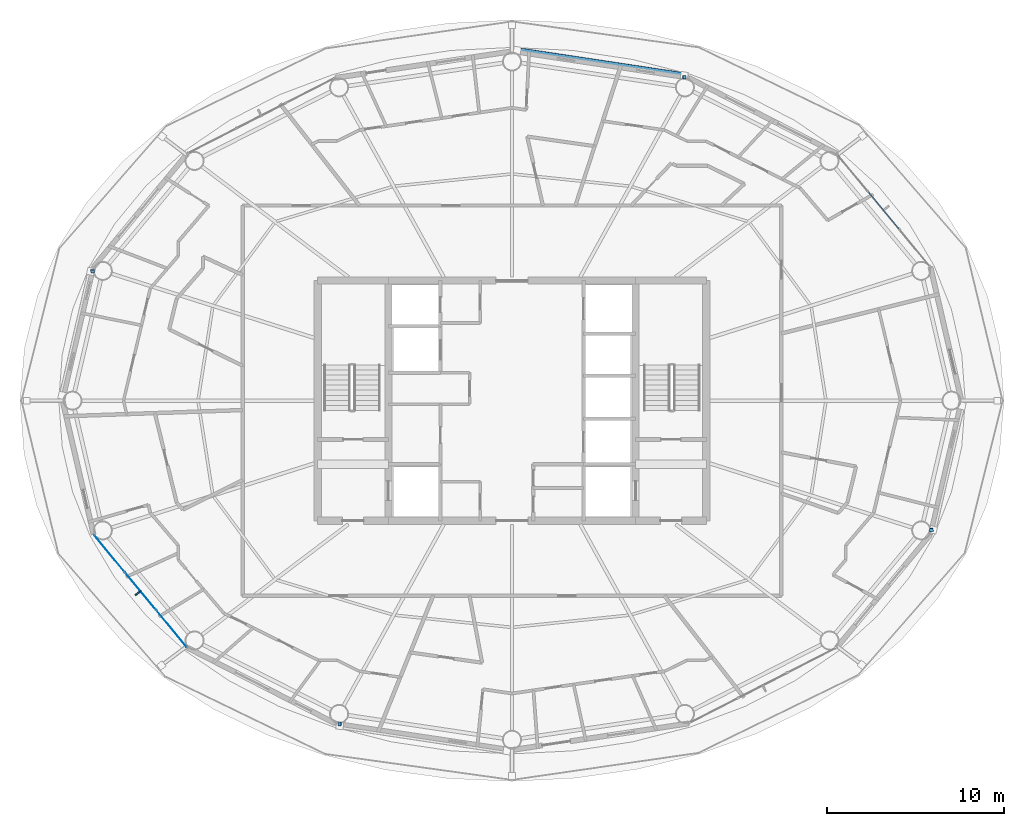
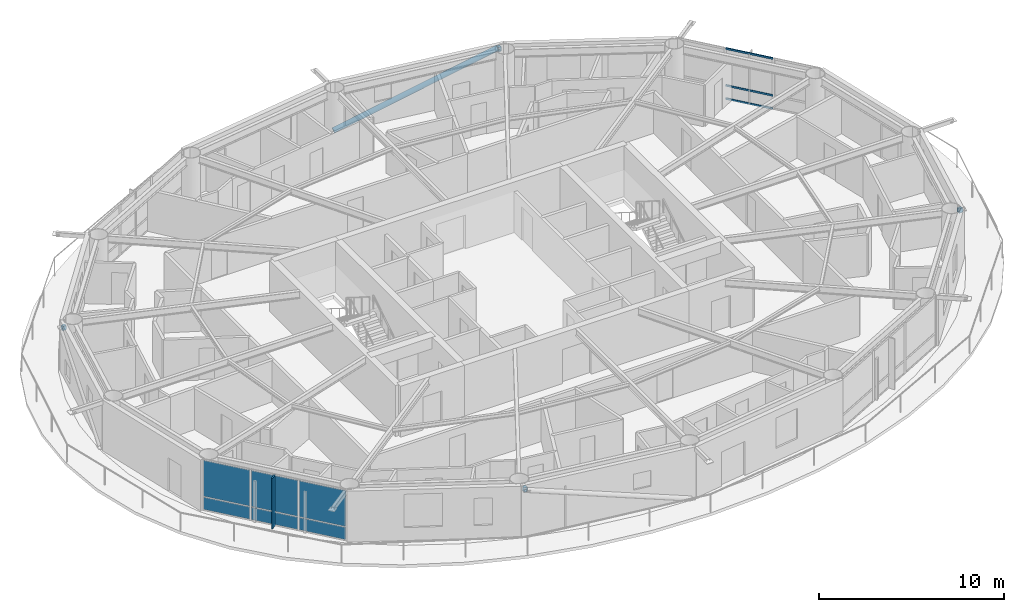
# One storey, part 12 of 23: 8 members, 7 plates, 2 elements without a shape of their own.
"""IFC4 building model written with IfcOpenShell, lengths in metres."""

from ifc_helpers import new_model, si_unit, direction, frame, origin, origin_2d, place, context, subcontext, project, spatial, rectangle, hollow_rectangle, hollow_circle, extrude, material, layer, layer_set, material_profile, profile_set, type_object, element, aggregate, save


model = new_model("IFC4")

# Units and contexts
model_context = context("Model", 3, precision=1e-05, world=origin(), true_north=direction((0.0, 1.0)))
body_context = subcontext(model_context, "Body", "Model", "MODEL_VIEW")
ifc_project = project(units=[si_unit("LENGTHUNIT", "METRE"), si_unit("AREAUNIT", "SQUARE_METRE"), si_unit("VOLUMEUNIT", "CUBIC_METRE"), si_unit("PLANEANGLEUNIT", "RADIAN"), si_unit("MASSUNIT", "GRAM", prefix="KILO")], contexts=[model_context])

# Site, building, storey
site_placement = place(None, origin())
site = spatial("IfcSite", under=ifc_project, at=site_placement, CompositionType="ELEMENT")
building_placement = place(site_placement, origin())
building = spatial("IfcBuilding", under=site, at=building_placement, Name="Sarneth Arch Tower", CompositionType="ELEMENT")
storey_placement = place(building_placement, frame((0.0, 0.0, 238.800048828125)))
storey = spatial("IfcBuildingStorey", under=building, at=storey_placement, Name="L61", CompositionType="ELEMENT", Elevation=238.800048828125)

# Curtain wall, members
ifc_material_1 = material(Name="Anodised aluminium Type AA25 and solar-control low-e laminated IGU", Category="aluminium")
ifc_layer_1 = layer(ifc_material_1, 0.179931640625)
ifc_layer_set_1 = layer_set([ifc_layer_1], Name="Anodised aluminium Type AA25 and solar-control low-e laminated IGU")
curtain_wall_type = type_object("IfcCurtainWallType", Name="CW-RES-HIGH", PredefinedType="NOTDEFINED", material=ifc_layer_set_1)
curtain_wall_1_placement = place(storey_placement, origin())
curtain_wall_1 = element("IfcCurtainWall", 1, at=curtain_wall_1_placement, inside=storey, type_object=curtain_wall_type, Name="L61 Unitised curtain wall facet 02", PredefinedType="NOTDEFINED")
ifc_material_2 = material(Name="Anodised Aluminium 6063-T6", Category="aluminium")
ifc_material_profile_1 = material_profile(ifc_material_2, hollow_rectangle(XDim=0.06005859375, YDim=0.1201171875, WallThickness=0.00390625, at=origin_2d()), Name="AL-TRAN-120x60x4")
ifc_profile_set_1 = profile_set([ifc_material_profile_1], Name="Anodised Aluminium 6063-T6")
member_type_1 = type_object("IfcMemberType", Name="CW-TRANSOM", PredefinedType="USERDEFINED", material=ifc_profile_set_1)
member_1_placement = place(storey_placement, frame((69.904296875, 51.731689453125, 0.030029296875), z_axis=(-0.637617371902, 0.770353222261, 0.0), x_axis=(-0.770353222261, -0.637617371902, 0.0)))
member_1 = element("IfcMember", 2, at=member_1_placement, type_object=member_type_1, Name="CW-SYS-6 transom 2.1", ObjectType="TRANSOM", PredefinedType="USERDEFINED", context=body_context, shape_type="SweptSolid", body=[
    extrude(hollow_rectangle(XDim=0.06005859375, YDim=0.1201171875, WallThickness=0.00390625, at=origin_2d()), origin(), (0.0, 0.0, 1.0), 2.716552734375),
])
member_2_placement = place(storey_placement, frame((69.904296875, 51.731689453125, 0.89990234375), z_axis=(-0.637617371902, 0.770353222261, 0.0), x_axis=(-0.770353222261, -0.637617371902, 0.0)))
member_2 = element("IfcMember", 3, at=member_2_placement, type_object=member_type_1, Name="CW-SYS-6 transom 2.2", ObjectType="TRANSOM", PredefinedType="USERDEFINED", context=body_context, shape_type="SweptSolid", body=[
    extrude(hollow_rectangle(XDim=0.06005859375, YDim=0.1201171875, WallThickness=0.00390625, at=origin_2d()), origin(), (0.0, 0.0, 1.0), 2.716552734375),
])
member_3_placement = place(storey_placement, frame((69.904296875, 51.731689453125, 3.329833984375), z_axis=(-0.637617371902, 0.770353222261, 0.0), x_axis=(-0.770353222261, -0.637617371902, 0.0)))
member_3 = element("IfcMember", 4, at=member_3_placement, type_object=member_type_1, Name="CW-SYS-6 transom 2.3", ObjectType="TRANSOM", PredefinedType="USERDEFINED", context=body_context, shape_type="SweptSolid", body=[
    extrude(hollow_rectangle(XDim=0.06005859375, YDim=0.1201171875, WallThickness=0.00390625, at=origin_2d()), origin(), (0.0, 0.0, 1.0), 2.716552734375),
])
aggregate(curtain_wall_1, [member_1, member_2, member_3])

# Members
ifc_material_3 = material(Name="Steel S355", Category="steel")
ifc_material_profile_2 = material_profile(ifc_material_3, hollow_rectangle(XDim=0.199951171875, YDim=0.300048828125, WallThickness=0.012451171875, InnerFilletRadius=0.018798828125, OuterFilletRadius=0.03125, at=origin_2d()), Name="RHS300x200x12.5")
ifc_profile_set_2 = profile_set([ifc_material_profile_2], Name="Steel S355")
member_type_2 = type_object("IfcMemberType", Name="MEM-CANT-STRUT", PredefinedType="STRUT", material=ifc_profile_set_2)
member_4_placement = place(storey_placement, frame((57.76513671875, 60.210205078125, 3.03662109375), z_axis=(-0.054530394419, 0.998512111136, 0.0), x_axis=(-0.998512111136, -0.054530394419, 0.0)))
element("IfcMember", 5, at=member_4_placement, inside=storey, type_object=member_type_2, Name="L61 Exoskeleton brace node strut 04B", PredefinedType="STRUT", context=body_context, shape_type="SweptSolid", body=[
    extrude(hollow_rectangle(XDim=0.199951171875, YDim=0.300048828125, WallThickness=0.012451171875, InnerFilletRadius=0.018798828125, OuterFilletRadius=0.03125, at=origin_2d()), origin(), (0.0, 0.0, 1.0), 0.201416015625),
])
member_5_placement = place(storey_placement, frame((24.359130859375, 49.325439453125, 3.03662109375), z_axis=(-0.998875971008, -0.047400364365, 0.0), x_axis=(0.047400364365, -0.998875971008, 0.0)))
element("IfcMember", 6, at=member_5_placement, inside=storey, type_object=member_type_2, Name="L61 Exoskeleton brace node strut 08B", PredefinedType="STRUT", context=body_context, shape_type="SweptSolid", body=[
    extrude(hollow_rectangle(XDim=0.199951171875, YDim=0.300048828125, WallThickness=0.012451171875, InnerFilletRadius=0.018798828125, OuterFilletRadius=0.03125, at=origin_2d()), origin(), (0.0, 0.0, 1.0), 0.211181640625),
])
member_6_placement = place(storey_placement, frame((38.23486328125, 23.789794921875, 3.03662109375), z_axis=(0.054530394419, -0.998512111136, 0.0), x_axis=(0.998512111136, 0.054530394419, 0.0)))
element("IfcMember", 7, at=member_6_placement, inside=storey, type_object=member_type_2, Name="L61 Exoskeleton brace node strut 12B", PredefinedType="STRUT", context=body_context, shape_type="SweptSolid", body=[
    extrude(hollow_rectangle(XDim=0.199951171875, YDim=0.300048828125, WallThickness=0.012451171875, InnerFilletRadius=0.018798828125, OuterFilletRadius=0.03125, at=origin_2d()), origin(), (0.0, 0.0, 1.0), 0.201416015625),
])
member_7_placement = place(storey_placement, frame((71.640869140625, 34.674560546875, 3.03662109375), z_axis=(0.998875971008, 0.047400364365, 0.0), x_axis=(-0.047400364365, 0.998875971008, 0.0)))
element("IfcMember", 8, at=member_7_placement, inside=storey, type_object=member_type_2, Name="L61 Exoskeleton brace node strut 16B", PredefinedType="STRUT", context=body_context, shape_type="SweptSolid", body=[
    extrude(hollow_rectangle(XDim=0.199951171875, YDim=0.300048828125, WallThickness=0.012451171875, InnerFilletRadius=0.018798828125, OuterFilletRadius=0.03125, at=origin_2d()), origin(), (0.0, 0.0, 1.0), 0.211181640625),
])
ifc_material_4 = material(Name="Steel S355", Category="steel")
ifc_material_profile_3 = material_profile(ifc_material_4, hollow_circle(Radius=0.162109375, WallThickness=0.012451171875, at=origin_2d()), Name="CHS324x12.5")
ifc_profile_set_3 = profile_set([ifc_material_profile_3], Name="Steel S355")
member_type_3 = type_object("IfcMemberType", Name="MEM-DIAG-BR3", PredefinedType="BRACE", material=ifc_profile_set_3)
member_8_placement = place(storey_placement, frame((48.296630859375, 61.83544921875, 0.02001953125), z_axis=(0.943056107878, -0.142001297879, 0.300800280576), x_axis=(0.148897148305, 0.988852688335, 0.0)))
element("IfcMember", 9, at=member_8_placement, inside=storey, type_object=member_type_3, Name="L61 Perimeter frame diagonal 04", PredefinedType="BRACE", context=body_context, shape_type="SweptSolid", body=[
    extrude(hollow_circle(Radius=0.162109375, WallThickness=0.012451171875, at=origin_2d()), origin(), (0.0, 0.0, 1.0), 10.028564453125),
])

# Curtain wall, plates
curtain_wall_2_placement = place(storey_placement, origin())
curtain_wall_2 = element("IfcCurtainWall", 10, at=curtain_wall_2_placement, inside=storey, type_object=curtain_wall_type, Name="L61 Unitised curtain wall facet 10", PredefinedType="NOTDEFINED")
ifc_material_5 = material(Name="Solar-control low-e laminated IGU", Category="glass")
ifc_layer_2 = layer(ifc_material_5, 0.028076171875)
ifc_layer_set_2 = layer_set([ifc_layer_2], Name="Solar-control low-e laminated IGU")
plate_type_1 = type_object("IfcPlateType", Name="CW-PANEL", PredefinedType="CURTAIN_PANEL", material=ifc_layer_set_2)
plate_1_placement = place(storey_placement, frame((25.200927734375, 33.349365234375, 0.059814453125), z_axis=(0.0, 0.0, 1.0), x_axis=(0.637610094184, -0.770359245933, 0.0)))
plate_1 = element("IfcPlate", 11, at=plate_1_placement, type_object=plate_type_1, Name="Curtain wall glazed vision pane CW-L61-F10/P00-00", PredefinedType="CURTAIN_PANEL", context=body_context, shape_type="SweptSolid", body=[
    extrude(rectangle(XDim=2.686767578125, YDim=0.028076171875, at=origin_2d()), origin(), (0.0, 0.0, 1.0), 0.81005859375),
])
plate_2_placement = place(storey_placement, frame((25.200927734375, 33.349365234375, 0.929931640625), z_axis=(0.0, 0.0, 1.0), x_axis=(0.637610094184, -0.770359245933, 0.0)))
plate_2 = element("IfcPlate", 12, at=plate_2_placement, type_object=plate_type_1, Name="Curtain wall glazed vision pane CW-L61-F10/P00-01", PredefinedType="CURTAIN_PANEL", context=body_context, shape_type="SweptSolid", body=[
    extrude(rectangle(XDim=2.686767578125, YDim=0.028076171875, at=origin_2d()), origin(), (0.0, 0.0, 1.0), 2.3701171875),
])
plate_3_placement = place(storey_placement, frame((26.9619140625, 31.221923828125, 0.059814453125), z_axis=(0.0, 0.0, 1.0), x_axis=(0.637610094184, -0.770359245933, 0.0)))
plate_3 = element("IfcPlate", 13, at=plate_3_placement, type_object=plate_type_1, Name="Curtain wall glazed vision pane CW-L61-F10/P01-00", PredefinedType="CURTAIN_PANEL", context=body_context, shape_type="SweptSolid", body=[
    extrude(rectangle(XDim=2.716552734375, YDim=0.028076171875, at=origin_2d()), origin(), (0.0, 0.0, 1.0), 0.81005859375),
])
plate_4_placement = place(storey_placement, frame((26.9619140625, 31.221923828125, 0.929931640625), z_axis=(0.0, 0.0, 1.0), x_axis=(0.637610094184, -0.770359245933, 0.0)))
plate_4 = element("IfcPlate", 14, at=plate_4_placement, type_object=plate_type_1, Name="Curtain wall glazed vision pane CW-L61-F10/P01-01", PredefinedType="CURTAIN_PANEL", context=body_context, shape_type="SweptSolid", body=[
    extrude(rectangle(XDim=2.716552734375, YDim=0.028076171875, at=origin_2d()), origin(), (0.0, 0.0, 1.0), 2.3701171875),
])
plate_5_placement = place(storey_placement, frame((28.72265625, 29.094482421875, 0.059814453125), z_axis=(0.0, 0.0, 1.0), x_axis=(0.637610094184, -0.770359245933, 0.0)))
plate_5 = element("IfcPlate", 15, at=plate_5_placement, type_object=plate_type_1, Name="Curtain wall glazed vision pane CW-L61-F10/P02-00", PredefinedType="CURTAIN_PANEL", context=body_context, shape_type="SweptSolid", body=[
    extrude(rectangle(XDim=2.686767578125, YDim=0.028076171875, at=origin_2d()), origin(), (0.0, 0.0, 1.0), 0.81005859375),
])
plate_6_placement = place(storey_placement, frame((28.72265625, 29.094482421875, 0.929931640625), z_axis=(0.0, 0.0, 1.0), x_axis=(0.637610094184, -0.770359245933, 0.0)))
plate_6 = element("IfcPlate", 16, at=plate_6_placement, type_object=plate_type_1, Name="Curtain wall glazed vision pane CW-L61-F10/P02-01", PredefinedType="CURTAIN_PANEL", context=body_context, shape_type="SweptSolid", body=[
    extrude(rectangle(XDim=2.686767578125, YDim=0.028076171875, at=origin_2d()), origin(), (0.0, 0.0, 1.0), 2.3701171875),
])
aggregate(curtain_wall_2, [plate_1, plate_2, plate_3, plate_4, plate_5, plate_6])

# Plate
ifc_material_6 = material(Name="Extruded glazed terracotta baguette fin on Aluminium 6063-T6 carrier", Category="masonry")
ifc_layer_3 = layer(ifc_material_6, 0.080078125)
ifc_layer_set_3 = layer_set([ifc_layer_3], Name="Extruded glazed terracotta baguette fin on Aluminium 6063-T6 carrier")
plate_type_2 = type_object("IfcPlateType", Name="SHADE-TERRA-FIN", PredefinedType="SHEET", material=ifc_layer_set_3)
plate_7_placement = place(storey_placement, frame((26.830810546875, 31.113525390625, 0.009765625), z_axis=(0.0, 0.0, 1.0), x_axis=(-0.770401979567, -0.63755845997, 0.0)))
element("IfcPlate", 17, at=plate_7_placement, inside=storey, type_object=plate_type_2, Name="L61 Terracotta vertical shading fin 10", PredefinedType="SHEET", context=body_context, shape_type="SweptSolid", body=[
    extrude(rectangle(XDim=0.419921875, YDim=0.080078125, at=origin_2d()), origin(), (0.0, 0.0, 1.0), 3.340087890625),
])

save(model, "model.ifc")
